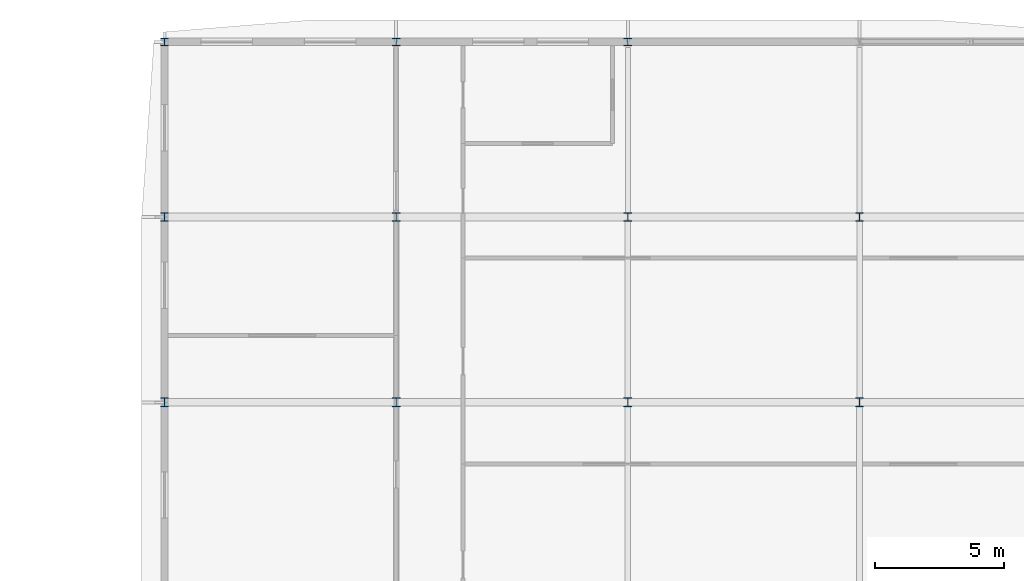
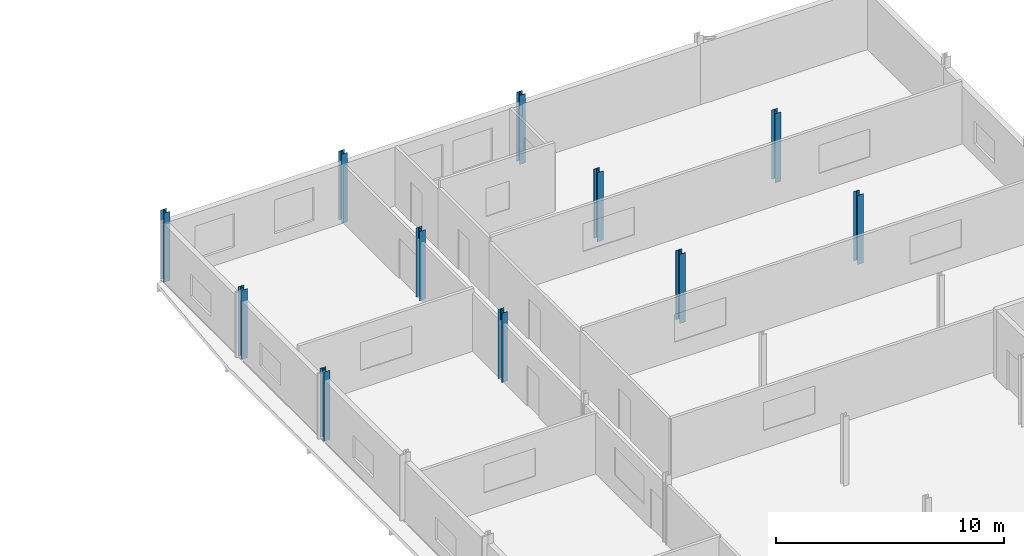
# One storey, part 7 of 30: 11 columns.
"""IFC4 building model written with IfcOpenShell, lengths in metres."""

from ifc_helpers import new_model, si_unit, direction, frame, origin, origin_2d, place, context, subcontext, project, spatial, i_section, extrude, material, material_profile, profile_set, type_object, element, save


model = new_model("IFC4")

# Units and contexts
model_context = context("Model", 3, precision=1e-05, world=origin(), true_north=direction((0.0, 1.0)))
body_context = subcontext(model_context, "Body", "Model", "MODEL_VIEW")
ifc_project = project(units=[si_unit("LENGTHUNIT", "METRE"), si_unit("AREAUNIT", "SQUARE_METRE"), si_unit("VOLUMEUNIT", "CUBIC_METRE"), si_unit("PLANEANGLEUNIT", "RADIAN"), si_unit("MASSUNIT", "GRAM", prefix="KILO")], contexts=[model_context])

# Site, building, storey
site_placement = place(None, origin())
site = spatial("IfcSite", under=ifc_project, at=site_placement, CompositionType="ELEMENT")
building_placement = place(site_placement, origin())
building = spatial("IfcBuilding", under=site, at=building_placement, Name="Vinh Khe Railworks Police Headquarters", CompositionType="ELEMENT")
storey_placement = place(building_placement, frame((0.0, 0.0, 21.0)))
storey = spatial("IfcBuildingStorey", under=building, at=storey_placement, Name="L05", CompositionType="ELEMENT", Elevation=21.0)

# Columns
ifc_material = material(Name="Steel S355JR", Category="steel")
ifc_material_profile_1 = material_profile(ifc_material, i_section(OverallWidth=0.300048828125, OverallDepth=0.2900390625, WebThickness=0.008544921875, FlangeThickness=0.013916015625, FilletRadius=0.027099609375, at=origin_2d()), Name="HEA 300")
ifc_profile_set_1 = profile_set([ifc_material_profile_1], Name="Steel S355JR")
column_type_1 = type_object("IfcColumnType", Name="Steel Column HEA 300", PredefinedType="COLUMN", material=ifc_profile_set_1)
for number, where, z_axis, x_axis, name in (
    (1, (78.0, 166.39990234375, 0.0), (0.0, 0.0, 1.0), (1.0, 0.0, 0.0), "Column COL-L05-SC-18-1211"),
    (2, (87.0, 166.39990234375, 0.0), (0.0, 0.0, 1.0), (1.0, 0.0, 0.0), "Column COL-L05-SC-18-1272"),
    (3, (96.0, 166.39990234375, 0.0), (0.0, 0.0, 1.0), (1.0, 0.0, 0.0), "Column COL-L05-SC-18-1333"),
):
    element("IfcColumn", number, at=place(storey_placement, frame(where, z_axis=z_axis, x_axis=x_axis)), inside=storey, type_object=column_type_1, Name=name, PredefinedType="COLUMN", context=body_context, shape_type="SweptSolid", body=[
        extrude(i_section(OverallWidth=0.300048828125, OverallDepth=0.2900390625, WebThickness=0.008544921875, FlangeThickness=0.013916015625, FilletRadius=0.027099609375, at=origin_2d()), origin(), (0.0, 0.0, 1.0), 3.699951171875),
    ])
ifc_material_profile_2 = material_profile(ifc_material, i_section(OverallWidth=0.300048828125, OverallDepth=0.330078125, WebThickness=0.009521484375, FlangeThickness=0.0166015625, FilletRadius=0.027099609375, at=origin_2d()), Name="HEA 340")
ifc_profile_set_2 = profile_set([ifc_material_profile_2], Name="Steel S355JR")
column_type_2 = type_object("IfcColumnType", Name="Steel Column HEA 340", PredefinedType="COLUMN", material=ifc_profile_set_2)
for number, where, z_axis, x_axis, name in (
    (4, (78.0, 159.60009765625, 0.0), (0.0, 0.0, 1.0), (1.0, 0.0, 0.0), "Column COL-L05-SC-17-1204"),
    (5, (87.0, 159.60009765625, 0.0), (0.0, 0.0, 1.0), (1.0, 0.0, 0.0), "Column COL-L05-SC-17-1265"),
    (6, (96.0, 159.60009765625, 0.0), (0.0, 0.0, 1.0), (1.0, 0.0, 0.0), "Column COL-L05-SC-17-1326"),
    (7, (105.0, 159.60009765625, 0.0), (0.0, 0.0, 1.0), (1.0, 0.0, 0.0), "Column COL-L05-SC-17-1387"),
):
    element("IfcColumn", number, at=place(storey_placement, frame(where, z_axis=z_axis, x_axis=x_axis)), inside=storey, type_object=column_type_2, Name=name, PredefinedType="COLUMN", context=body_context, shape_type="SweptSolid", body=[
        extrude(i_section(OverallWidth=0.300048828125, OverallDepth=0.330078125, WebThickness=0.009521484375, FlangeThickness=0.0166015625, FilletRadius=0.027099609375, at=origin_2d()), origin(), (0.0, 0.0, 1.0), 3.699951171875),
    ])
ifc_material_profile_3 = material_profile(ifc_material, i_section(OverallWidth=0.300048828125, OverallDepth=0.35009765625, WebThickness=0.010009765625, FlangeThickness=0.017578125, FilletRadius=0.027099609375, at=origin_2d()), Name="HEA 360")
ifc_profile_set_3 = profile_set([ifc_material_profile_3], Name="Steel S355JR")
column_type_3 = type_object("IfcColumnType", Name="Steel Column HEA 360", PredefinedType="COLUMN", material=ifc_profile_set_3)
for number, where, z_axis, x_axis, name in (
    (8, (78.0, 152.39990234375, 0.0), (0.0, 0.0, 1.0), (1.0, 0.0, 0.0), "Column COL-L05-SC-16-1197"),
    (9, (87.0, 152.39990234375, 0.0), (0.0, 0.0, 1.0), (1.0, 0.0, 0.0), "Column COL-L05-SC-16-1258"),
    (10, (96.0, 152.39990234375, 0.0), (0.0, 0.0, 1.0), (1.0, 0.0, 0.0), "Column COL-L05-SC-16-1319"),
    (11, (105.0, 152.39990234375, 0.0), (0.0, 0.0, 1.0), (1.0, 0.0, 0.0), "Column COL-L05-SC-16-1380"),
):
    element("IfcColumn", number, at=place(storey_placement, frame(where, z_axis=z_axis, x_axis=x_axis)), inside=storey, type_object=column_type_3, Name=name, PredefinedType="COLUMN", context=body_context, shape_type="SweptSolid", body=[
        extrude(i_section(OverallWidth=0.300048828125, OverallDepth=0.35009765625, WebThickness=0.010009765625, FlangeThickness=0.017578125, FilletRadius=0.027099609375, at=origin_2d()), origin(), (0.0, 0.0, 1.0), 3.699951171875),
    ])

save(model, "model.ifc")
